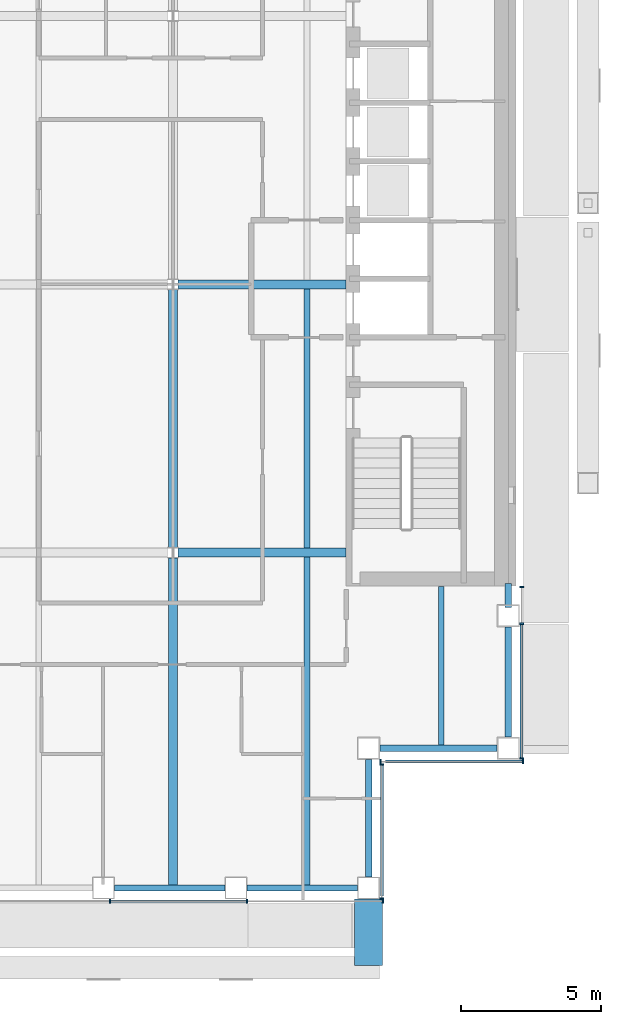
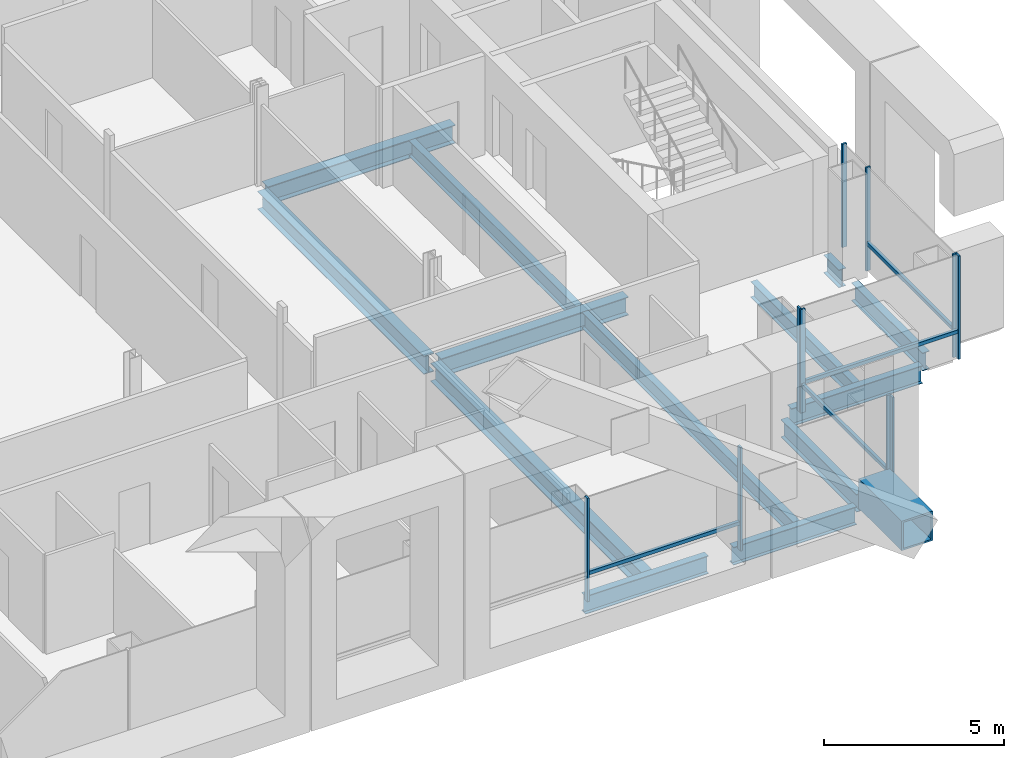
# One storey, part 6 of 22: 14 beams, 14 members, 4 elements without a shape of their own.
"""IFC4 building model written with IfcOpenShell, lengths in metres."""

from ifc_helpers import new_model, si_unit, direction, frame, origin, origin_2d, place, context, subcontext, project, spatial, rectangle, hollow_rectangle, i_section, extrude, material, material_profile, profile_set, type_object, element, aggregate, save


model = new_model("IFC4")

# Units and contexts
model_context = context("Model", 3, precision=1e-05, world=origin(), true_north=direction((0.0, 1.0)))
body_context = subcontext(model_context, "Body", "Model", "MODEL_VIEW")
ifc_project = project(units=[si_unit("LENGTHUNIT", "METRE"), si_unit("AREAUNIT", "SQUARE_METRE"), si_unit("VOLUMEUNIT", "CUBIC_METRE"), si_unit("PLANEANGLEUNIT", "RADIAN"), si_unit("MASSUNIT", "GRAM", prefix="KILO")], contexts=[model_context])

# Site, building, storey
site_placement = place(None, origin())
site = spatial("IfcSite", under=ifc_project, at=site_placement, CompositionType="ELEMENT")
building_placement = place(site_placement, origin())
building = spatial("IfcBuilding", under=site, at=building_placement, Name="Cobrizo Arcos Hotel Tower", CompositionType="ELEMENT")
storey_placement = place(building_placement, frame((0.0, 0.0, 155.0)))
storey = spatial("IfcBuildingStorey", under=building, at=storey_placement, Name="L39", CompositionType="ELEMENT", Elevation=155.0)

# Beam
ifc_material_1 = material(Name="Steel ASTM A572 Grade 50", Category="steel")
ifc_material_profile_1 = material_profile(ifc_material_1, hollow_rectangle(XDim=1.0, YDim=1.0, WallThickness=0.06005859375, at=origin_2d()), Name="BOX 1000X1000X60")
ifc_profile_set_1 = profile_set([ifc_material_profile_1], Name="Steel ASTM A572 Grade 50")
beam_type_1 = type_object("IfcBeamType", Name="BOX 1000X1000X60 brace connector strut", PredefinedType="BEAM", material=ifc_profile_set_1)
beam_1_placement = place(storey_placement, frame((16.60009765625, -21.989990234375, 0.5), z_axis=(0.0, -1.0, 0.0), x_axis=(1.0, 0.0, 0.0)))
element("IfcBeam", 1, at=beam_1_placement, inside=storey, type_object=beam_type_1, Name="Perimeter brace stub BS1, zone Z3, south face, offset +16.60 m, L39", PredefinedType="BEAM", context=body_context, shape_type="SweptSolid", body=[
    extrude(hollow_rectangle(XDim=1.0, YDim=1.0, WallThickness=0.06005859375, at=origin_2d()), origin(), (0.0, 0.0, 1.0), 2.380126953125),
])

# Curtain wall, members
ifc_material_2 = material(Name="Aluminium 6063-T6 anodised bronze", Category="aluminium")
curtain_wall_type = type_object("IfcCurtainWallType", Name="CW-A guest facade", PredefinedType="NOTDEFINED", material=ifc_material_2)
curtain_wall_1_placement = place(storey_placement, origin())
curtain_wall_1 = element("IfcCurtainWall", 2, at=curtain_wall_1_placement, inside=storey, type_object=curtain_wall_type, Name="CW-A L39 S face", PredefinedType="NOTDEFINED")
ifc_material_profile_2 = material_profile(ifc_material_2, rectangle(XDim=0.14990234375, YDim=0.06005859375, at=origin_2d()), Name="CW-A mullion 150x60")
ifc_profile_set_2 = profile_set([ifc_material_profile_2], Name="Aluminium 6063-T6 anodised bronze")
member_type_1 = type_object("IfcMemberType", Name="CW-A mullion 150x60", PredefinedType="MULLION", material=ifc_profile_set_2)
member_1_placement = place(storey_placement, frame((7.35009765625, -22.074951171875, 0.0), z_axis=(0.0, 0.0, 1.0), x_axis=(0.0, -1.0, 0.0)))
member_1 = element("IfcMember", 3, at=member_1_placement, type_object=member_type_1, Name="CW-A mullion 6", PredefinedType="MULLION", context=body_context, shape_type="SweptSolid", body=[
    extrude(rectangle(XDim=0.14990234375, YDim=0.06005859375, at=origin_2d()), origin(), (0.0, 0.0, 1.0), 3.5),
])
member_2_placement = place(storey_placement, frame((12.25, -22.074951171875, 0.0), z_axis=(0.0, 0.0, 1.0), x_axis=(0.0, -1.0, 0.0)))
member_2 = element("IfcMember", 4, at=member_2_placement, type_object=member_type_1, Name="CW-A mullion 7", PredefinedType="MULLION", context=body_context, shape_type="SweptSolid", body=[
    extrude(rectangle(XDim=0.14990234375, YDim=0.06005859375, at=origin_2d()), origin(), (0.0, 0.0, 1.0), 3.5),
])
member_3_placement = place(storey_placement, frame((17.1201171875, -22.074951171875, 0.0), z_axis=(0.0, 0.0, 1.0), x_axis=(0.0, -1.0, 0.0)))
member_3 = element("IfcMember", 5, at=member_3_placement, type_object=member_type_1, Name="CW-A mullion 8", PredefinedType="MULLION", context=body_context, shape_type="SweptSolid", body=[
    extrude(rectangle(XDim=0.14990234375, YDim=0.06005859375, at=origin_2d()), origin(), (0.0, 0.0, 1.0), 3.5),
])

curtain_wall_2_placement = place(storey_placement, origin())
curtain_wall_2 = element("IfcCurtainWall", 6, at=curtain_wall_2_placement, inside=storey, type_object=curtain_wall_type, Name="CW-A L39 E face", PredefinedType="NOTDEFINED")
member_4_placement = place(storey_placement, frame((17.074951171875, -21.969970703125, 0.0), z_axis=(0.0, 0.0, 1.0), x_axis=(1.0, 0.0, 0.0)))
member_4 = element("IfcMember", 7, at=member_4_placement, type_object=member_type_1, Name="CW-A mullion 1", PredefinedType="MULLION", context=body_context, shape_type="SweptSolid", body=[
    extrude(rectangle(XDim=0.14990234375, YDim=0.06005859375, at=origin_2d()), origin(), (0.0, 0.0, 1.0), 3.5),
])
member_5_placement = place(storey_placement, frame((17.074951171875, -17.179931640625, 0.0), z_axis=(0.0, 0.0, 1.0), x_axis=(1.0, 0.0, 0.0)))
member_5 = element("IfcMember", 8, at=member_5_placement, type_object=member_type_1, Name="CW-A mullion 2", PredefinedType="MULLION", context=body_context, shape_type="SweptSolid", body=[
    extrude(rectangle(XDim=0.14990234375, YDim=0.06005859375, at=origin_2d()), origin(), (0.0, 0.0, 1.0), 3.5),
])

curtain_wall_3_placement = place(storey_placement, origin())
curtain_wall_3 = element("IfcCurtainWall", 9, at=curtain_wall_3_placement, inside=storey, type_object=curtain_wall_type, Name="CW-A L39 S face", PredefinedType="NOTDEFINED")
member_6_placement = place(storey_placement, frame((17.030029296875, -17.074951171875, 0.0), z_axis=(0.0, 0.0, 1.0), x_axis=(0.0, -1.0, 0.0)))
member_6 = element("IfcMember", 10, at=member_6_placement, type_object=member_type_1, Name="CW-A mullion 1", PredefinedType="MULLION", context=body_context, shape_type="SweptSolid", body=[
    extrude(rectangle(XDim=0.14990234375, YDim=0.06005859375, at=origin_2d()), origin(), (0.0, 0.0, 1.0), 3.5),
])
member_7_placement = place(storey_placement, frame((22.1201171875, -17.074951171875, 0.0), z_axis=(0.0, 0.0, 1.0), x_axis=(0.0, -1.0, 0.0)))
member_7 = element("IfcMember", 11, at=member_7_placement, type_object=member_type_1, Name="CW-A mullion 2", PredefinedType="MULLION", context=body_context, shape_type="SweptSolid", body=[
    extrude(rectangle(XDim=0.14990234375, YDim=0.06005859375, at=origin_2d()), origin(), (0.0, 0.0, 1.0), 3.5),
])

curtain_wall_4_placement = place(storey_placement, origin())
curtain_wall_4 = element("IfcCurtainWall", 12, at=curtain_wall_4_placement, inside=storey, type_object=curtain_wall_type, Name="CW-A L39 E face", PredefinedType="NOTDEFINED")
member_8_placement = place(storey_placement, frame((22.074951171875, -16.969970703125, 0.0), z_axis=(0.0, 0.0, 1.0), x_axis=(1.0, 0.0, 0.0)))
member_8 = element("IfcMember", 13, at=member_8_placement, type_object=member_type_1, Name="CW-A mullion 1", PredefinedType="MULLION", context=body_context, shape_type="SweptSolid", body=[
    extrude(rectangle(XDim=0.14990234375, YDim=0.06005859375, at=origin_2d()), origin(), (0.0, 0.0, 1.0), 3.5),
])
member_9_placement = place(storey_placement, frame((22.074951171875, -12.142822265625, 0.0), z_axis=(0.0, 0.0, 1.0), x_axis=(1.0, 0.0, 0.0)))
member_9 = element("IfcMember", 14, at=member_9_placement, type_object=member_type_1, Name="CW-A mullion 2", PredefinedType="MULLION", context=body_context, shape_type="SweptSolid", body=[
    extrude(rectangle(XDim=0.14990234375, YDim=0.06005859375, at=origin_2d()), origin(), (0.0, 0.0, 1.0), 3.5),
])
member_10_placement = place(storey_placement, frame((22.074951171875, -10.830078125, 0.0), z_axis=(0.0, 0.0, 1.0), x_axis=(1.0, 0.0, 0.0)))
member_10 = element("IfcMember", 15, at=member_10_placement, type_object=member_type_1, Name="CW-A mullion 3", PredefinedType="MULLION", context=body_context, shape_type="SweptSolid", body=[
    extrude(rectangle(XDim=0.14990234375, YDim=0.06005859375, at=origin_2d()), origin(), (0.0, 0.0, 1.0), 3.5),
])

# Member
ifc_material_profile_3 = material_profile(ifc_material_2, rectangle(XDim=0.10009765625, YDim=0.1201171875, at=origin_2d()), Name="CW-A transom 120x100")
ifc_profile_set_3 = profile_set([ifc_material_profile_3], Name="Aluminium 6063-T6 anodised bronze")
member_type_2 = type_object("IfcMemberType", Name="CW-A transom 120x100", PredefinedType="USERDEFINED", material=ifc_profile_set_3)
member_11_placement = place(storey_placement, frame((7.3798828125, -22.074951171875, 0.929931640625), z_axis=(1.0, 0.0, 0.0), x_axis=(0.0, 1.0, 0.0)))
member_11 = element("IfcMember", 16, at=member_11_placement, type_object=member_type_2, Name="CW-A transom 1401", ObjectType="TRANSOM", PredefinedType="USERDEFINED", context=body_context, shape_type="SweptSolid", body=[
    extrude(rectangle(XDim=0.10009765625, YDim=0.1201171875, at=origin_2d()), origin(), (0.0, 0.0, 1.0), 4.840087890625),
])

aggregate(curtain_wall_1, [member_1, member_2, member_3, member_11])

member_12_placement = place(storey_placement, frame((17.074951171875, -21.889892578125, 0.929931640625), z_axis=(0.0, 1.0, 0.0), x_axis=(-1.0, 0.0, 0.0)))
member_12 = element("IfcMember", 17, at=member_12_placement, type_object=member_type_2, Name="CW-A transom 1403", ObjectType="TRANSOM", PredefinedType="USERDEFINED", context=body_context, shape_type="SweptSolid", body=[
    extrude(rectangle(XDim=0.10009765625, YDim=0.1201171875, at=origin_2d()), origin(), (0.0, 0.0, 1.0), 4.679931640625),
])

aggregate(curtain_wall_2, [member_4, member_5, member_12])

member_13_placement = place(storey_placement, frame((17.199951171875, -17.074951171875, 0.929931640625), z_axis=(1.0, 0.0, 0.0), x_axis=(0.0, 1.0, 0.0)))
member_13 = element("IfcMember", 18, at=member_13_placement, type_object=member_type_2, Name="CW-A transom 1404", ObjectType="TRANSOM", PredefinedType="USERDEFINED", context=body_context, shape_type="SweptSolid", body=[
    extrude(rectangle(XDim=0.10009765625, YDim=0.1201171875, at=origin_2d()), origin(), (0.0, 0.0, 1.0), 4.89013671875),
])

aggregate(curtain_wall_3, [member_6, member_7, member_13])

member_14_placement = place(storey_placement, frame((22.074951171875, -16.93994140625, 0.929931640625), z_axis=(0.0, 1.0, 0.0), x_axis=(-1.0, 0.0, 0.0)))
member_14 = element("IfcMember", 19, at=member_14_placement, type_object=member_type_2, Name="CW-A transom 1405", ObjectType="TRANSOM", PredefinedType="USERDEFINED", context=body_context, shape_type="SweptSolid", body=[
    extrude(rectangle(XDim=0.10009765625, YDim=0.1201171875, at=origin_2d()), origin(), (0.0, 0.0, 1.0), 4.76708984375),
])

aggregate(curtain_wall_4, [member_8, member_9, member_10, member_14])

# Beams
ifc_material_3 = material(Name="Steel ASTM A992 Grade 50", Category="steel")
ifc_material_profile_4 = material_profile(ifc_material_3, i_section(OverallWidth=0.209228515625, OverallDepth=0.533447265625, WebThickness=0.01025390625, FlangeThickness=0.015625, at=origin_2d()), Name="W21X62")
ifc_profile_set_4 = profile_set([ifc_material_profile_4], Name="Steel ASTM A992 Grade 50")
beam_type_2 = type_object("IfcBeamType", Name="W21X62 joist", PredefinedType="JOIST", material=ifc_profile_set_4)
beam_2_placement = place(storey_placement, frame((14.39990234375, -21.510009765625, -0.416748046875), z_axis=(0.0, 1.0, 0.0), x_axis=(-1.0, 0.0, 0.0)))
element("IfcBeam", 20, at=beam_2_placement, inside=storey, type_object=beam_type_2, Name="Floor joist J1, L39, no. 015", PredefinedType="JOIST", context=body_context, shape_type="SweptSolid", body=[
    extrude(i_section(OverallWidth=0.209228515625, OverallDepth=0.533447265625, WebThickness=0.01025390625, FlangeThickness=0.015625, at=origin_2d()), origin(), (0.0, 0.0, 1.0), 11.74609375),
])
beam_3_placement = place(storey_placement, frame((14.39990234375, -9.43603515625, -0.416748046875), z_axis=(0.0, 1.0, 0.0), x_axis=(-1.0, 0.0, 0.0)))
element("IfcBeam", 21, at=beam_3_placement, inside=storey, type_object=beam_type_2, Name="Floor joist J1, L39, no. 016", PredefinedType="JOIST", context=body_context, shape_type="SweptSolid", body=[
    extrude(i_section(OverallWidth=0.209228515625, OverallDepth=0.533447265625, WebThickness=0.01025390625, FlangeThickness=0.015625, at=origin_2d()), origin(), (0.0, 0.0, 1.0), 9.272216796875),
])
beam_4_placement = place(storey_placement, frame((19.199951171875, -16.510009765625, -0.416748046875), z_axis=(0.0, 1.0, 0.0), x_axis=(-1.0, 0.0, 0.0)))
element("IfcBeam", 22, at=beam_4_placement, inside=storey, type_object=beam_type_2, Name="Floor joist J1, L39, no. 019", PredefinedType="JOIST", context=body_context, shape_type="SweptSolid", body=[
    extrude(i_section(OverallWidth=0.209228515625, OverallDepth=0.533447265625, WebThickness=0.01025390625, FlangeThickness=0.015625, at=origin_2d()), origin(), (0.0, 0.0, 1.0), 5.699951171875),
])
ifc_material_profile_5 = material_profile(ifc_material_3, i_section(OverallWidth=0.32763671875, OverallDepth=0.622314453125, WebThickness=0.015380859375, FlangeThickness=0.0244140625, at=origin_2d()), Name="W24X131")
ifc_profile_set_5 = profile_set([ifc_material_profile_5], Name="Steel ASTM A992 Grade 50")
beam_type_3 = type_object("IfcBeamType", Name="W24X131 girder", PredefinedType="BEAM", material=ifc_profile_set_5)
for number, where, z_axis, x_axis, name in (
    (23, (9.78662109375, -9.60009765625, -0.461181640625), (1.0, 0.0, 0.0), (0.0, 1.0, 0.0), "Floor girder G1, L39, no. 004"),
    (24, (9.78662109375, 0.0, -0.461181640625), (1.0, 0.0, 0.0), (0.0, 1.0, 0.0), "Floor girder G1, L39, no. 008"),
):
    element("IfcBeam", number, at=place(storey_placement, frame(where, z_axis=z_axis, x_axis=x_axis)), inside=storey, type_object=beam_type_3, Name=name, PredefinedType="BEAM", context=body_context, shape_type="SweptSolid", body=[
        extrude(i_section(OverallWidth=0.32763671875, OverallDepth=0.622314453125, WebThickness=0.015380859375, FlangeThickness=0.0244140625, at=origin_2d()), origin(), (0.0, 0.0, 1.0), 6.00341796875),
    ])
beam_5_placement = place(storey_placement, frame((9.60009765625, -21.510009765625, -0.461181640625), z_axis=(0.0, 1.0, 0.0), x_axis=(-1.0, 0.0, 0.0)))
element("IfcBeam", 25, at=beam_5_placement, inside=storey, type_object=beam_type_3, Name="Floor girder G1, L39, no. 021", PredefinedType="BEAM", context=body_context, shape_type="SweptSolid", body=[
    extrude(i_section(OverallWidth=0.32763671875, OverallDepth=0.622314453125, WebThickness=0.015380859375, FlangeThickness=0.0244140625, at=origin_2d()), origin(), (0.0, 0.0, 1.0), 11.723388671875),
])
beam_6_placement = place(storey_placement, frame((9.60009765625, -9.413330078125, -0.461181640625), z_axis=(0.0, 1.0, 0.0), x_axis=(-1.0, 0.0, 0.0)))
element("IfcBeam", 26, at=beam_6_placement, inside=storey, type_object=beam_type_3, Name="Floor girder G1, L39, no. 022", PredefinedType="BEAM", context=body_context, shape_type="SweptSolid", body=[
    extrude(i_section(OverallWidth=0.32763671875, OverallDepth=0.622314453125, WebThickness=0.015380859375, FlangeThickness=0.0244140625, at=origin_2d()), origin(), (0.0, 0.0, 1.0), 9.2265625),
])
ifc_material_profile_6 = material_profile(ifc_material_3, i_section(OverallWidth=0.228271484375, OverallDepth=0.607177734375, WebThickness=0.01123046875, FlangeThickness=0.017333984375, at=origin_2d()), Name="W24X76")
ifc_profile_set_6 = profile_set([ifc_material_profile_6], Name="Steel ASTM A992 Grade 50")
beam_type_4 = type_object("IfcBeamType", Name="W24X76 spandrel", PredefinedType="SPANDREL", material=ifc_profile_set_6)
beam_7_placement = place(storey_placement, frame((7.513916015625, -21.60009765625, -0.45361328125), z_axis=(1.0, 0.0, 0.0), x_axis=(0.0, 1.0, 0.0)))
element("IfcBeam", 27, at=beam_7_placement, inside=storey, type_object=beam_type_4, Name="Spandrel beam W24X76, L39, no. 006", PredefinedType="SPANDREL", context=body_context, shape_type="SweptSolid", body=[
    extrude(i_section(OverallWidth=0.228271484375, OverallDepth=0.607177734375, WebThickness=0.01123046875, FlangeThickness=0.017333984375, at=origin_2d()), origin(), (0.0, 0.0, 1.0), 3.943115234375),
])
beam_8_placement = place(storey_placement, frame((12.257080078125, -21.60009765625, -0.45361328125), z_axis=(1.0, 0.0, 0.0), x_axis=(0.0, 1.0, 0.0)))
element("IfcBeam", 28, at=beam_8_placement, inside=storey, type_object=beam_type_4, Name="Spandrel beam W24X76, L39, no. 007", PredefinedType="SPANDREL", context=body_context, shape_type="SweptSolid", body=[
    extrude(i_section(OverallWidth=0.228271484375, OverallDepth=0.607177734375, WebThickness=0.01123046875, FlangeThickness=0.017333984375, at=origin_2d()), origin(), (0.0, 0.0, 1.0), 3.94287109375),
])
for number, where, z_axis, x_axis, name in (
    (29, (16.60009765625, -21.199951171875, -0.45361328125), (0.0, 1.0, 0.0), (-1.0, 0.0, 0.0), "Spandrel beam W24X76, L39, no. 008"),
    (30, (17.0, -16.60009765625, -0.45361328125), (1.0, 0.0, 0.0), (0.0, 1.0, 0.0), "Spandrel beam W24X76, L39, no. 009"),
):
    element("IfcBeam", number, at=place(storey_placement, frame(where, z_axis=z_axis, x_axis=x_axis)), inside=storey, type_object=beam_type_4, Name=name, PredefinedType="SPANDREL", context=body_context, shape_type="SweptSolid", body=[
        extrude(i_section(OverallWidth=0.228271484375, OverallDepth=0.607177734375, WebThickness=0.01123046875, FlangeThickness=0.017333984375, at=origin_2d()), origin(), (0.0, 0.0, 1.0), 4.199951171875),
    ])
beam_9_placement = place(storey_placement, frame((21.60009765625, -16.199951171875, -0.45361328125), z_axis=(0.0, 1.0, 0.0), x_axis=(-1.0, 0.0, 0.0)))
element("IfcBeam", 31, at=beam_9_placement, inside=storey, type_object=beam_type_4, Name="Spandrel beam W24X76, L39, no. 010", PredefinedType="SPANDREL", context=body_context, shape_type="SweptSolid", body=[
    extrude(i_section(OverallWidth=0.228271484375, OverallDepth=0.607177734375, WebThickness=0.01123046875, FlangeThickness=0.017333984375, at=origin_2d()), origin(), (0.0, 0.0, 1.0), 3.94287109375),
])
beam_10_placement = place(storey_placement, frame((21.60009765625, -11.556884765625, -0.45361328125), z_axis=(0.0, 1.0, 0.0), x_axis=(-1.0, 0.0, 0.0)))
element("IfcBeam", 32, at=beam_10_placement, inside=storey, type_object=beam_type_4, Name="Spandrel beam W24X76, L39, no. 011", PredefinedType="SPANDREL", context=body_context, shape_type="SweptSolid", body=[
    extrude(i_section(OverallWidth=0.228271484375, OverallDepth=0.607177734375, WebThickness=0.01123046875, FlangeThickness=0.017333984375, at=origin_2d()), origin(), (0.0, 0.0, 1.0), 0.846923828125),
])

save(model, "model.ifc")
